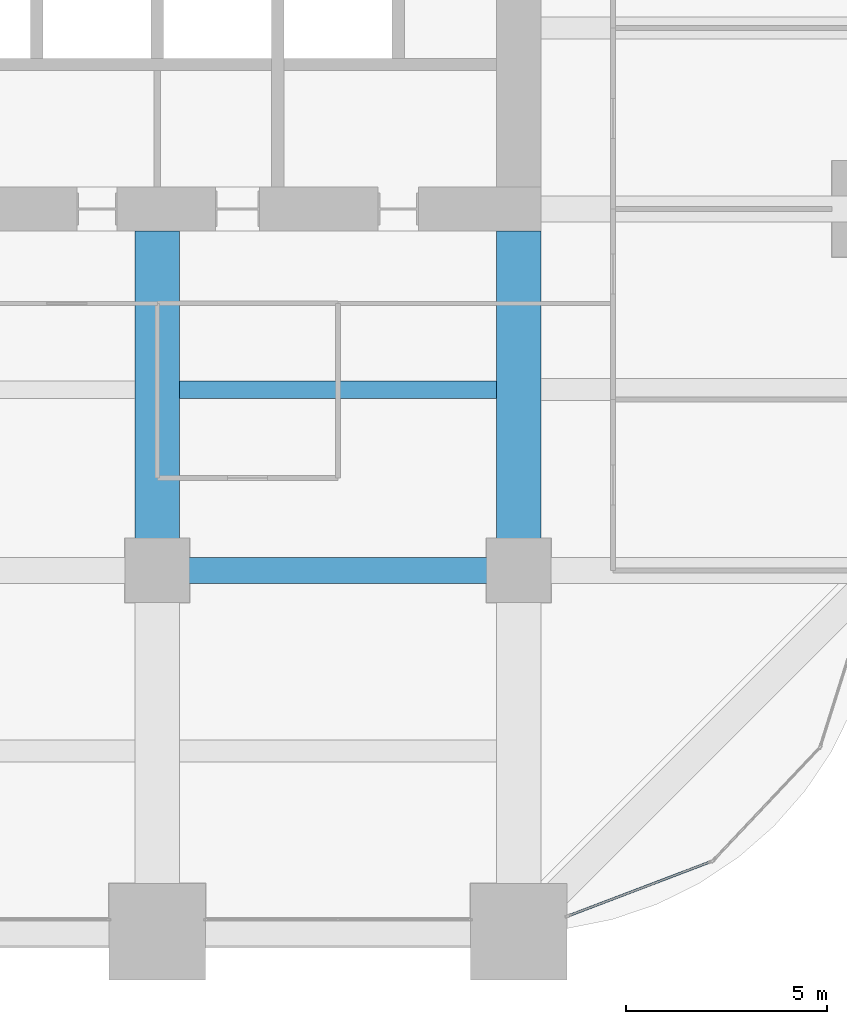
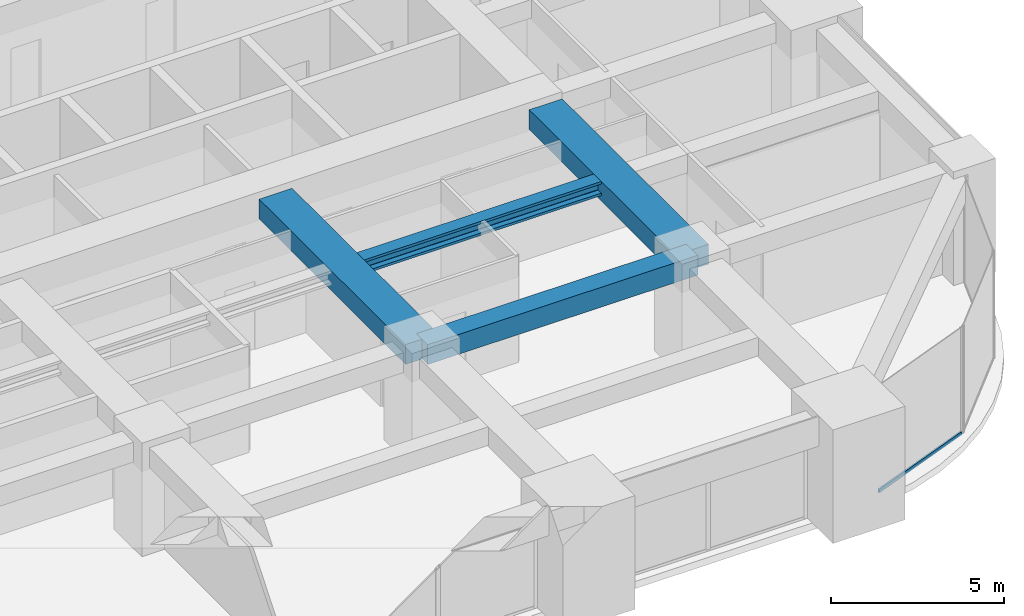
# One storey, part 15 of 32: 4 beams, 1 member, 1 element without a shape of its own.
"""IFC4 building model written with IfcOpenShell, lengths in metres."""

from ifc_helpers import new_model, si_unit, direction, frame, origin, origin_2d, place, context, subcontext, project, spatial, rectangle, hollow_rectangle, i_section, extrude, material, material_profile, profile_set, type_object, element, aggregate, save


model = new_model("IFC4")

# Units and contexts
model_context = context("Model", 3, precision=1e-05, world=origin(), true_north=direction((0.0, 1.0)))
body_context = subcontext(model_context, "Body", "Model", "MODEL_VIEW")
ifc_project = project(units=[si_unit("LENGTHUNIT", "METRE"), si_unit("AREAUNIT", "SQUARE_METRE"), si_unit("VOLUMEUNIT", "CUBIC_METRE"), si_unit("PLANEANGLEUNIT", "RADIAN"), si_unit("MASSUNIT", "GRAM", prefix="KILO")], contexts=[model_context])

# Site, building, storey
site_placement = place(None, origin())
site = spatial("IfcSite", under=ifc_project, at=site_placement, CompositionType="ELEMENT")
building_placement = place(site_placement, origin())
building = spatial("IfcBuilding", under=site, at=building_placement, Name="Zorevar Civic Tower", CompositionType="ELEMENT")
storey_placement = place(building_placement, frame((0.0, 0.0, 186.199951171875)))
storey = spatial("IfcBuildingStorey", under=building, at=storey_placement, Name="L45", CompositionType="ELEMENT", Elevation=186.199951171875)

# Beams
ifc_material_1 = material(Name="Concrete C50/60", Category="concrete")
ifc_material_profile_1 = material_profile(ifc_material_1, rectangle(XDim=1.10009765625, YDim=0.699951171875, at=origin_2d()), Name="RC 1100x700")
ifc_profile_set_1 = profile_set([ifc_material_profile_1], Name="Concrete C50/60")
beam_type_1 = type_object("IfcBeamType", Name="Beam RC 1100x700", PredefinedType="BEAM", material=ifc_profile_set_1)
for number, where, z_axis, x_axis, name in (
    (1, (36.0, 9.0, 3.400146484375), (0.0, 1.0, 0.0), (-1.0, 0.0, 0.0), "Girder L46"),
    (2, (45.0, 9.0, 3.400146484375), (0.0, 1.0, 0.0), (-1.0, 0.0, 0.0), "Girder L46"),
):
    element("IfcBeam", number, at=place(storey_placement, frame(where, z_axis=z_axis, x_axis=x_axis)), inside=storey, type_object=beam_type_1, Name=name, PredefinedType="BEAM", context=body_context, shape_type="SweptSolid", body=[
        extrude(rectangle(XDim=1.10009765625, YDim=0.699951171875, at=origin_2d()), origin(), (0.0, 0.0, 1.0), 8.449951171875),
    ])
ifc_material_2 = material(Name="Concrete C50/60", Category="concrete")
ifc_material_profile_2 = material_profile(ifc_material_2, rectangle(XDim=0.64990234375, YDim=0.699951171875, at=origin_2d()), Name="RC 650x700")
ifc_profile_set_2 = profile_set([ifc_material_profile_2], Name="Concrete C50/60")
beam_type_2 = type_object("IfcBeamType", Name="Beam RC 650x700", PredefinedType="BEAM", material=ifc_profile_set_2)
beam_1_placement = place(storey_placement, frame((36.0, 9.0, 3.400146484375), z_axis=(1.0, 0.0, 0.0), x_axis=(0.0, 1.0, 0.0)))
element("IfcBeam", 3, at=beam_1_placement, inside=storey, type_object=beam_type_2, Name="Girder L46", PredefinedType="BEAM", context=body_context, shape_type="SweptSolid", body=[
    extrude(rectangle(XDim=0.64990234375, YDim=0.699951171875, at=origin_2d()), origin(), (0.0, 0.0, 1.0), 9.0),
])

# Curtain wall, member
ifc_material_3 = material(Name="Dark grey solar-control glass in black aluminium frame", Category="aluminium")
curtain_wall_type = type_object("IfcCurtainWallType", Name="Curtain wall CW4 high zone", PredefinedType="NOTDEFINED", material=ifc_material_3)
curtain_wall_placement = place(storey_placement, origin())
curtain_wall = element("IfcCurtainWall", 4, at=curtain_wall_placement, inside=storey, type_object=curtain_wall_type, Name="CW4 L45", PredefinedType="NOTDEFINED")
ifc_material_4 = material(Name="Aluminium, black anodised", Category="aluminium")
ifc_material_profile_3 = material_profile(ifc_material_4, hollow_rectangle(XDim=0.06005859375, YDim=0.1201171875, WallThickness=0.0029296875, at=origin_2d()), Name="AL 120x60x3")
ifc_profile_set_3 = profile_set([ifc_material_profile_3], Name="Aluminium, black anodised")
member_type = type_object("IfcMemberType", Name="CW4 transom AL 120x60x3", PredefinedType="USERDEFINED", material=ifc_profile_set_3)
member_placement = place(storey_placement, frame((46.256103515625, 0.404541015625, 0.030029296875), z_axis=(0.934589335576, 0.355728511406, 0.0), x_axis=(-0.355728511406, 0.934589335576, 0.0)))
member = element("IfcMember", 5, at=member_placement, type_object=member_type, Name="CW4 sill transom", ObjectType="TRANSOM", PredefinedType="USERDEFINED", context=body_context, shape_type="SweptSolid", body=[
    extrude(hollow_rectangle(XDim=0.06005859375, YDim=0.1201171875, WallThickness=0.0029296875, at=origin_2d()), origin(), (0.0, 0.0, 1.0), 3.76708984375),
])
aggregate(curtain_wall, [member])

# Beam
ifc_material_5 = material(Name="Steel S460M (HISTAR 460)", Category="steel")
ifc_material_profile_4 = material_profile(ifc_material_5, i_section(OverallWidth=0.431884765625, OverallDepth=0.498046875, WebThickness=0.0556640625, FlangeThickness=0.0888671875, FilletRadius=0.014892578125, at=origin_2d()), Name="HD 400x744")
ifc_profile_set_4 = profile_set([ifc_material_profile_4], Name="Steel S460M (HISTAR 460)")
beam_type_3 = type_object("IfcBeamType", Name="Core bay beam HD 400x744", PredefinedType="BEAM", material=ifc_profile_set_4)
beam_2_placement = place(storey_placement, frame((36.550048828125, 13.5, 3.5009765625), z_axis=(1.0, 0.0, 0.0), x_axis=(0.0, 1.0, 0.0)))
element("IfcBeam", 6, at=beam_2_placement, inside=storey, type_object=beam_type_3, Name="Secondary beam L46", PredefinedType="BEAM", context=body_context, shape_type="SweptSolid", body=[
    extrude(i_section(OverallWidth=0.431884765625, OverallDepth=0.498046875, WebThickness=0.0556640625, FlangeThickness=0.0888671875, FilletRadius=0.014892578125, at=origin_2d()), origin(), (0.0, 0.0, 1.0), 7.89990234375),
])

save(model, "model.ifc")
